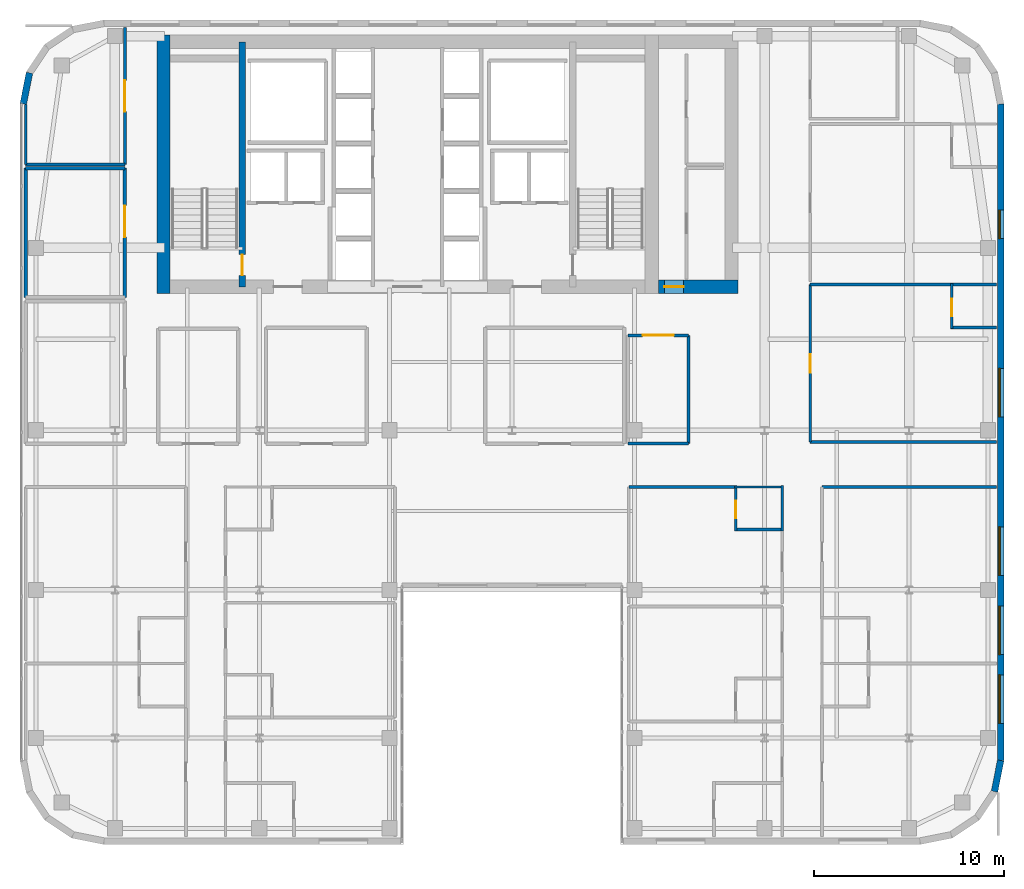
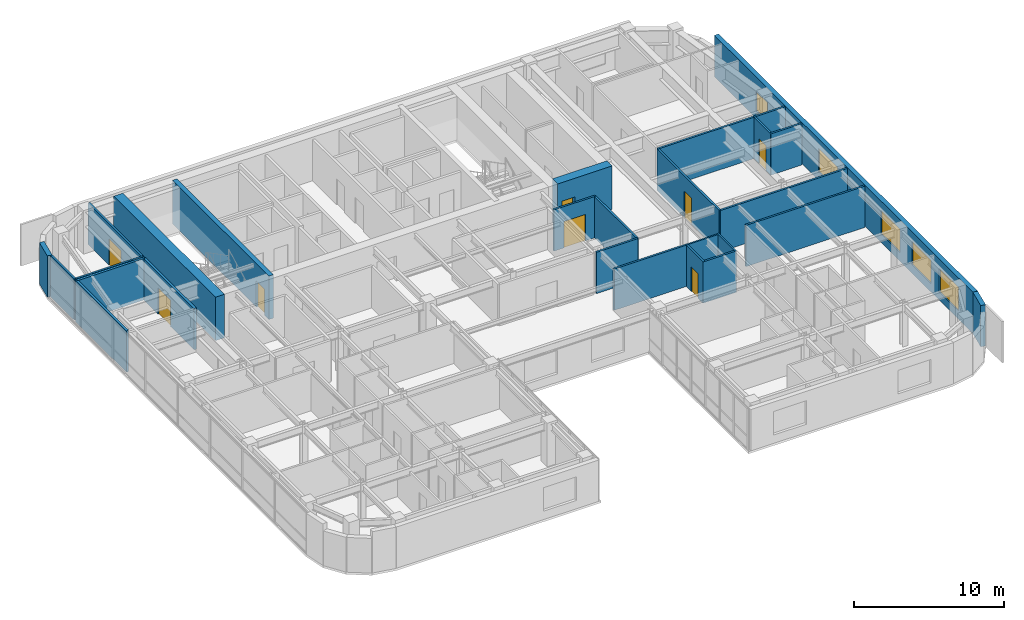
# One storey, part 20 of 24: 27 walls, 8 doors, 5 windows, 13 openings.
"""IFC4 building model written with IfcOpenShell, lengths in metres."""

from ifc_helpers import new_model, si_unit, direction, frame, frame_2d, origin, place, context, subcontext, project, spatial, rectangle, extrude, source, transform, mapped, material, layer, layer_set, type_object, type_shapes, element, fill, save


model = new_model("IFC4")

# Units and contexts
model_context = context("Model", 3, precision=1e-05, world=origin(), true_north=direction((0.0, 1.0)))
body_context = subcontext(model_context, "Body", "Model", "MODEL_VIEW")
ifc_project = project(units=[si_unit("LENGTHUNIT", "METRE"), si_unit("AREAUNIT", "SQUARE_METRE"), si_unit("VOLUMEUNIT", "CUBIC_METRE"), si_unit("PLANEANGLEUNIT", "RADIAN"), si_unit("MASSUNIT", "GRAM", prefix="KILO")], contexts=[model_context])

# Site, building, storey
site_placement = place(None, origin())
site = spatial("IfcSite", under=ifc_project, at=site_placement, CompositionType="ELEMENT")
building_placement = place(site_placement, origin())
building = spatial("IfcBuilding", under=site, at=building_placement, Name="Tolvann Quenvar Hotel", CompositionType="ELEMENT")
storey_placement = place(building_placement, frame((0.0, 0.0, 194.64990234375)))
storey = spatial("IfcBuildingStorey", under=building, at=storey_placement, Name="L51", CompositionType="ELEMENT", Elevation=194.64990234375)

# Wall
ifc_material_1 = material(Name="Concrete S65 (65 MPa)", Category="concrete")
ifc_layer_1 = layer(ifc_material_1, 0.699951171875)
ifc_layer_set_1 = layer_set([ifc_layer_1], Name="Concrete S65 (65 MPa)")
wall_type_1 = type_object("IfcWallType", Name="WALL_CORE_700", PredefinedType="SHEAR", material=ifc_layer_set_1)
wall_1_placement = place(storey_placement, frame((10.14990234375, 31.60009765625, 0.0), z_axis=(0.0, 0.0, 1.0), x_axis=(0.0, 1.0, 0.0)))
element("IfcWall", 1, at=wall_1_placement, inside=storey, type_object=wall_type_1, Name="Rear Core W Shear Wall (L51)", PredefinedType="SHEAR", context=body_context, shape_type="SweptSolid", body=[
    extrude(rectangle(XDim=13.599853515625, YDim=0.699951171875, at=frame_2d((6.7998046875, 0.0))), origin(), (0.0, 0.0, 1.0), 3.550048828125),
])

# Wall, opening, door
wall_2_placement = place(storey_placement, frame((36.199951171875, 31.949951171875, 0.0), z_axis=(0.0, 0.0, 1.0), x_axis=(1.0, 0.0, 0.0)))
wall_2 = element("IfcWall", 2, at=wall_2_placement, inside=storey, type_object=wall_type_1, Name="Core East Annex Shear Wall ANN-S (L51)", PredefinedType="SHEAR", context=body_context, shape_type="SweptSolid", body=[
    extrude(rectangle(XDim=4.199951171875, YDim=0.699951171875, at=frame_2d((2.10009765625, 0.0))), origin(), (0.0, 0.0, 1.0), 3.550048828125),
])
opening_1_placement = place(wall_2_placement, frame((1.340087890625, 0.0, 0.0), z_axis=(0.0, 0.0, 1.0), x_axis=(-1.0, 0.0, 0.0)))
opening_1 = element("IfcOpeningElement", 3, at=opening_1_placement, cuts=wall_2, Name="Opening HD-01", PredefinedType="OPENING", context=body_context, shape_type="SweptSolid", body=[
    extrude(rectangle(XDim=1.02001953125, YDim=2.030029296875, at=frame_2d((0.510009765625, 1.01513671875))), frame((0.0, 0.35986328125, 0.0), z_axis=(0.0, -1.0, 0.0), x_axis=(1.0, 0.0, 0.0)), (0.0, 0.0, 1.0), 0.719970703125),
])
ifc_material_2 = material(Name="Pressed galvanised steel fire-rated door set", Category="steel")
door_type_1 = type_object("IfcDoorType", Name="DOOR_BOH_1020", OperationType="NOTDEFINED", PredefinedType="DOOR", material=ifc_material_2)
shared_shape_1 = source(origin(), body_context, "Body", "SweptSolid", [
    extrude(rectangle(XDim=1.02001953125, YDim=2.030029296875, at=frame_2d((0.510009765625, 1.01513671875))), frame((0.0, 0.02490234375, 0.0), z_axis=(0.0, -1.0, 0.0), x_axis=(1.0, 0.0, 0.0)), (0.0, 0.0, 1.0), 0.050048828125),
])
type_shapes(door_type_1, [shared_shape_1])
door_1_placement = place(opening_1_placement, origin())
door_1 = element("IfcDoor", 4, at=door_1_placement, inside=storey, type_object=door_type_1, Name="Housekeeping Annex Fire Door (L51)", OperationType="SINGLE_SWING_LEFT", OverallHeight=2.030029296875, OverallWidth=1.02001953125, PredefinedType="DOOR", context=body_context, shape_type="MappedRepresentation", body=[
    mapped(shared_shape_1, transform((0.0, 0.0, 0.0), x_axis=(1.0, 0.0, 0.0), y_axis=(0.0, 1.0, 0.0), z_axis=(0.0, 0.0, 1.0), scale=1.0)),
])
fill(opening_1, door_1)

ifc_layer_2 = layer(ifc_material_1, 0.35009765625)
ifc_layer_set_2 = layer_set([ifc_layer_2], Name="Concrete S65 (65 MPa)")
wall_type_2 = type_object("IfcWallType", Name="WALL_CORE_INT_350", PredefinedType="SHEAR", material=ifc_layer_set_2)
wall_3_placement = place(storey_placement, frame((14.300048828125, 31.949951171875, 0.0), z_axis=(0.0, 0.0, 1.0), x_axis=(0.0, 1.0, 0.0)))
wall_3 = element("IfcWall", 5, at=wall_3_placement, inside=storey, type_object=wall_type_2, Name="Core Internal Web Shear Wall WEB-W (L51)", PredefinedType="SHEAR", context=body_context, shape_type="SweptSolid", body=[
    extrude(rectangle(XDim=12.900146484375, YDim=0.35009765625, at=frame_2d((6.4501953125, 0.0))), origin(), (0.0, 0.0, 1.0), 3.550048828125),
])
opening_2_placement = place(wall_3_placement, frame((0.60009765625, 0.0, 0.0)))
opening_2 = element("IfcOpeningElement", 6, at=opening_2_placement, cuts=wall_3, Name="Opening FD-120", PredefinedType="OPENING", context=body_context, shape_type="SweptSolid", body=[
    extrude(rectangle(XDim=1.10009765625, YDim=2.1201171875, at=frame_2d((0.550048828125, 1.06005859375))), frame((0.0, 0.18505859375, 0.0), z_axis=(0.0, -1.0, 0.0), x_axis=(1.0, 0.0, 0.0)), (0.0, 0.0, 1.0), 0.3701171875),
])
door_type_2 = type_object("IfcDoorType", Name="DOOR_FIRE_STAIR_1100", OperationType="NOTDEFINED", PredefinedType="DOOR", material=ifc_material_2)
shared_shape_2 = source(origin(), body_context, "Body", "SweptSolid", [
    extrude(rectangle(XDim=1.10009765625, YDim=2.1201171875, at=frame_2d((0.550048828125, 1.06005859375))), frame((0.0, 0.02490234375, 0.0), z_axis=(0.0, -1.0, 0.0), x_axis=(1.0, 0.0, 0.0)), (0.0, 0.0, 1.0), 0.050048828125),
])
type_shapes(door_type_2, [shared_shape_2])
door_2_placement = place(opening_2_placement, origin())
door_2 = element("IfcDoor", 7, at=door_2_placement, inside=storey, type_object=door_type_2, Name="Exit Stair ST-C1 Fire Door (L51)", OperationType="SINGLE_SWING_LEFT", OverallHeight=2.1201171875, OverallWidth=1.10009765625, PredefinedType="DOOR", context=body_context, shape_type="MappedRepresentation", body=[
    mapped(shared_shape_2, transform((0.0, 0.0, 0.0), x_axis=(1.0, 0.0, 0.0), y_axis=(0.0, 1.0, 0.0), z_axis=(0.0, 0.0, 1.0), scale=1.0)),
])
fill(opening_2, door_2)

# Wall
ifc_material_3 = material(Name="Kiln-fired red and buff architectural clay brickwork and terracotta masonry", Category="masonry")
ifc_layer_3 = layer(ifc_material_3, 0.35009765625)
ifc_layer_set_3 = layer_set([ifc_layer_3], Name="Kiln-fired red and buff architectural clay brickwork and terracotta masonry")
wall_type_3 = type_object("IfcWallType", Name="WALL_EXT_BRICK_350", PredefinedType="SOLIDWALL", material=ifc_layer_set_3)
wall_4_placement = place(storey_placement, frame((53.900390625, 5.384521484375, 0.0), z_axis=(0.0, 0.0, 1.0), x_axis=(0.195072403631, 0.980788844421, 0.0)))
element("IfcWall", 8, at=wall_4_placement, inside=storey, type_object=wall_type_3, Name="Exterior Chicago Brick Wall L51-E12", PredefinedType="SOLIDWALL", context=body_context, shape_type="SweptSolid", body=[
    extrude(rectangle(XDim=1.66455078125, YDim=0.35009765625, at=frame_2d((0.832275390625, 0.0))), origin(), (0.0, 0.0, 1.0), 3.3701171875),
])

# Wall, openings, windows
wall_5_placement = place(storey_placement, frame((54.22509765625, 7.01708984375, 0.0), z_axis=(0.0, 0.0, 1.0), x_axis=(0.0, 1.0, 0.0)))
wall_5 = element("IfcWall", 9, at=wall_5_placement, inside=storey, type_object=wall_type_3, Name="Exterior Chicago Brick Wall L51-E13", PredefinedType="SOLIDWALL", context=body_context, shape_type="SweptSolid", body=[
    extrude(rectangle(XDim=34.565673828125, YDim=0.35009765625, at=frame_2d((17.28271484375, 0.0))), origin(), (0.0, 0.0, 1.0), 3.3701171875),
])
opening_3_placement = place(wall_5_placement, frame((1.9599609375, 0.0, 0.679931640625)))
opening_3 = element("IfcOpeningElement", 10, at=opening_3_placement, cuts=wall_5, Name="Opening W-09", PredefinedType="OPENING", context=body_context, shape_type="SweptSolid", body=[
    extrude(rectangle(XDim=2.550048828125, YDim=1.919921875, at=frame_2d((1.27490234375, 0.9599609375))), frame((0.0, 0.18505859375, 0.0), z_axis=(0.0, -1.0, 0.0), x_axis=(1.0, 0.0, 0.0)), (0.0, 0.0, 1.0), 0.3701171875),
])
opening_4_placement = place(wall_5_placement, frame((5.5810546875, 0.0, 0.679931640625)))
opening_4 = element("IfcOpeningElement", 11, at=opening_4_placement, cuts=wall_5, Name="Opening W-09", PredefinedType="OPENING", context=body_context, shape_type="SweptSolid", body=[
    extrude(rectangle(XDim=2.550048828125, YDim=1.919921875, at=frame_2d((1.27490234375, 0.9599609375))), frame((0.0, 0.18505859375, 0.0), z_axis=(0.0, -1.0, 0.0), x_axis=(1.0, 0.0, 0.0)), (0.0, 0.0, 1.0), 0.3701171875),
])
opening_5_placement = place(wall_5_placement, frame((9.751953125, 0.0, 0.679931640625)))
opening_5 = element("IfcOpeningElement", 12, at=opening_5_placement, cuts=wall_5, Name="Opening W-09", PredefinedType="OPENING", context=body_context, shape_type="SweptSolid", body=[
    extrude(rectangle(XDim=2.550048828125, YDim=1.919921875, at=frame_2d((1.27490234375, 0.9599609375))), frame((0.0, 0.18505859375, 0.0), z_axis=(0.0, -1.0, 0.0), x_axis=(1.0, 0.0, 0.0)), (0.0, 0.0, 1.0), 0.3701171875),
])
opening_6_placement = place(wall_5_placement, frame((18.093017578125, 0.0, 0.679931640625)))
opening_6 = element("IfcOpeningElement", 13, at=opening_6_placement, cuts=wall_5, Name="Opening W-09", PredefinedType="OPENING", context=body_context, shape_type="SweptSolid", body=[
    extrude(rectangle(XDim=2.550048828125, YDim=1.919921875, at=frame_2d((1.27490234375, 0.9599609375))), frame((0.0, 0.18505859375, 0.0), z_axis=(0.0, -1.0, 0.0), x_axis=(1.0, 0.0, 0.0)), (0.0, 0.0, 1.0), 0.3701171875),
])
opening_7_placement = place(wall_5_placement, frame((27.472900390625, 0.0, 0.6201171875)))
opening_7 = element("IfcOpeningElement", 14, at=opening_7_placement, cuts=wall_5, Name="Opening W-08", PredefinedType="OPENING", context=body_context, shape_type="SweptSolid", body=[
    extrude(rectangle(XDim=1.5, YDim=1.550048828125, at=frame_2d((0.75, 0.77490234375))), frame((0.0, 0.18505859375, 0.0), z_axis=(0.0, -1.0, 0.0), x_axis=(1.0, 0.0, 0.0)), (0.0, 0.0, 1.0), 0.3701171875),
])
ifc_material_4 = material(Name="Thermally broken bronze-anodised aluminium frame with double low-E glazing", Category="aluminium")
window_type_1 = type_object("IfcWindowType", Name="WIN_COR_1500x2050", PartitioningType="SINGLE_PANEL", PredefinedType="WINDOW", material=ifc_material_4)
shared_shape_3 = source(origin(), body_context, "Body", "SweptSolid", [
    extrude(rectangle(XDim=1.5, YDim=1.550048828125, at=frame_2d((0.75, 0.77490234375))), frame((0.0, 0.090087890625, 0.0), z_axis=(0.0, -1.0, 0.0), x_axis=(1.0, 0.0, 0.0)), (0.0, 0.0, 1.0), 0.06005859375),
])
type_shapes(window_type_1, [shared_shape_3])
window_1_placement = place(opening_7_placement, origin())
window_1 = element("IfcWindow", 15, at=window_1_placement, inside=storey, type_object=window_type_1, Name="Chicago Window W-08 (EW-L51-E13-WD05)", OverallHeight=1.550048828125, OverallWidth=1.5, PartitioningType="SINGLE_PANEL", PredefinedType="WINDOW", context=body_context, shape_type="MappedRepresentation", body=[
    mapped(shared_shape_3, transform((0.0, 0.0, 0.0), x_axis=(1.0, 0.0, 0.0), y_axis=(0.0, 1.0, 0.0), z_axis=(0.0, 0.0, 1.0), scale=1.0)),
])
fill(opening_7, window_1)
window_type_2 = type_object("IfcWindowType", Name="WIN_LNG_2550x1950", PartitioningType="TRIPLE_PANEL_HORIZONTAL", PredefinedType="WINDOW", material=ifc_material_4)
shared_shape_4 = source(origin(), body_context, "Body", "SweptSolid", [
    extrude(rectangle(XDim=2.550048828125, YDim=1.919921875, at=frame_2d((1.27490234375, 0.9599609375))), frame((0.0, 0.090087890625, 0.0), z_axis=(0.0, -1.0, 0.0), x_axis=(1.0, 0.0, 0.0)), (0.0, 0.0, 1.0), 0.06005859375),
])
type_shapes(window_type_2, [shared_shape_4])
window_2_placement = place(opening_3_placement, origin())
window_2 = element("IfcWindow", 16, at=window_2_placement, inside=storey, type_object=window_type_2, Name="Chicago Window W-09 (EW-L51-E13-W01)", OverallHeight=1.919921875, OverallWidth=2.550048828125, PartitioningType="TRIPLE_PANEL_HORIZONTAL", PredefinedType="WINDOW", context=body_context, shape_type="MappedRepresentation", body=[
    mapped(shared_shape_4, transform((0.0, 0.0, 0.0), x_axis=(1.0, 0.0, 0.0), y_axis=(0.0, 1.0, 0.0), z_axis=(0.0, 0.0, 1.0), scale=1.0)),
])
fill(opening_3, window_2)
window_3_placement = place(opening_4_placement, origin())
window_3 = element("IfcWindow", 17, at=window_3_placement, inside=storey, type_object=window_type_2, Name="Chicago Window W-09 (EW-L51-E13-W02)", OverallHeight=1.919921875, OverallWidth=2.550048828125, PartitioningType="TRIPLE_PANEL_HORIZONTAL", PredefinedType="WINDOW", context=body_context, shape_type="MappedRepresentation", body=[
    mapped(shared_shape_4, transform((0.0, 0.0, 0.0), x_axis=(1.0, 0.0, 0.0), y_axis=(0.0, 1.0, 0.0), z_axis=(0.0, 0.0, 1.0), scale=1.0)),
])
fill(opening_4, window_3)
window_4_placement = place(opening_5_placement, origin())
window_4 = element("IfcWindow", 18, at=window_4_placement, inside=storey, type_object=window_type_2, Name="Chicago Window W-09 (EW-L51-E13-W03)", OverallHeight=1.919921875, OverallWidth=2.550048828125, PartitioningType="TRIPLE_PANEL_HORIZONTAL", PredefinedType="WINDOW", context=body_context, shape_type="MappedRepresentation", body=[
    mapped(shared_shape_4, transform((0.0, 0.0, 0.0), x_axis=(1.0, 0.0, 0.0), y_axis=(0.0, 1.0, 0.0), z_axis=(0.0, 0.0, 1.0), scale=1.0)),
])
fill(opening_5, window_4)
window_5_placement = place(opening_6_placement, origin())
window_5 = element("IfcWindow", 19, at=window_5_placement, inside=storey, type_object=window_type_2, Name="Chicago Window W-09 (EW-L51-E13-W04)", OverallHeight=1.919921875, OverallWidth=2.550048828125, PartitioningType="TRIPLE_PANEL_HORIZONTAL", PredefinedType="WINDOW", context=body_context, shape_type="MappedRepresentation", body=[
    mapped(shared_shape_4, transform((0.0, 0.0, 0.0), x_axis=(1.0, 0.0, 0.0), y_axis=(0.0, 1.0, 0.0), z_axis=(0.0, 0.0, 1.0), scale=1.0)),
])
fill(opening_6, window_5)

# Walls
wall_6_placement = place(storey_placement, frame((3.099609375, 43.215576171875, 0.0), z_axis=(0.0, 0.0, 1.0), x_axis=(-0.195044345786, -0.980794424524, 0.0)))
element("IfcWall", 20, at=wall_6_placement, inside=storey, type_object=wall_type_3, Name="Exterior Chicago Brick Wall L51-E22", PredefinedType="SOLIDWALL", context=body_context, shape_type="SweptSolid", body=[
    extrude(rectangle(XDim=1.664794921875, YDim=0.35009765625, at=frame_2d((0.83251953125, 0.0))), origin(), (0.0, 0.0, 1.0), 3.3701171875),
])
ifc_material_5 = material(Name="Acoustic twin-stud fire-rated gypsum plasterboard partition")
ifc_layer_4 = layer(ifc_material_5, 0.179931640625)
ifc_layer_set_4 = layer_set([ifc_layer_4], Name="Acoustic twin-stud fire-rated gypsum plasterboard partition")
wall_type_4 = type_object("IfcWallType", Name="WALL_PART_ACOUSTIC_180", PredefinedType="PARTITIONING", material=ifc_layer_set_4)
wall_7_placement = place(storey_placement, frame((2.89990234375, 38.199951171875, 0.0), z_axis=(0.0, 0.0, 1.0), x_axis=(1.0, 0.0, 0.0)))
element("IfcWall", 21, at=wall_7_placement, inside=storey, type_object=wall_type_4, Name="Interior Partition PT-SPC-L51-MTG-N", PredefinedType="PARTITIONING", context=body_context, shape_type="SweptSolid", body=[
    extrude(rectangle(XDim=5.22021484375, YDim=0.179931640625, at=frame_2d((2.610107421875, 0.0))), origin(), (0.0, 0.0, 1.0), 3.3701171875),
])
wall_8_placement = place(storey_placement, frame((2.89990234375, 31.39990234375, 0.0), z_axis=(0.0, 0.0, 1.0), x_axis=(0.0, 1.0, 0.0)))
element("IfcWall", 22, at=wall_8_placement, inside=storey, type_object=wall_type_4, Name="Interior Partition PT-SPC-L51-MTG-W", PredefinedType="PARTITIONING", context=body_context, shape_type="SweptSolid", body=[
    extrude(rectangle(XDim=6.800048828125, YDim=0.179931640625, at=frame_2d((3.39990234375, 0.0))), origin(), (0.0, 0.0, 1.0), 3.3701171875),
])

# Wall, opening, door
wall_9_placement = place(storey_placement, frame((8.1201171875, 31.39990234375, 0.0), z_axis=(0.0, 0.0, 1.0), x_axis=(0.0, 1.0, 0.0)))
wall_9 = element("IfcWall", 23, at=wall_9_placement, inside=storey, type_object=wall_type_4, Name="Interior Partition PT-SPC-L51-MTG-E", PredefinedType="PARTITIONING", context=body_context, shape_type="SweptSolid", body=[
    extrude(rectangle(XDim=6.800048828125, YDim=0.179931640625, at=frame_2d((3.39990234375, 0.0))), origin(), (0.0, 0.0, 1.0), 3.3701171875),
])
opening_8_placement = place(wall_9_placement, frame((3.175048828125, 0.0, 0.0)))
opening_8 = element("IfcOpeningElement", 24, at=opening_8_placement, cuts=wall_9, Name="Opening AD-01", PredefinedType="OPENING", context=body_context, shape_type="SweptSolid", body=[
    extrude(rectangle(XDim=1.64990234375, YDim=2.14990234375, at=frame_2d((0.824951171875, 1.074951171875))), frame((0.0, 0.10009765625, 0.0), z_axis=(0.0, -1.0, 0.0), x_axis=(1.0, 0.0, 0.0)), (0.0, 0.0, 1.0), 0.199951171875),
])
ifc_material_6 = material(Name="Solid-core American oak acoustic fire door leaf in steel frame", Category="steel")
door_type_3 = type_object("IfcDoorType", Name="DOOR_SALON_1650", OperationType="NOTDEFINED", PredefinedType="DOOR", material=ifc_material_6)
shared_shape_5 = source(origin(), body_context, "Body", "SweptSolid", [
    extrude(rectangle(XDim=1.64990234375, YDim=2.14990234375, at=frame_2d((0.824951171875, 1.074951171875))), frame((0.0, 0.02490234375, 0.0), z_axis=(0.0, -1.0, 0.0), x_axis=(1.0, 0.0, 0.0)), (0.0, 0.0, 1.0), 0.050048828125),
])
type_shapes(door_type_3, [shared_shape_5])
door_3_placement = place(opening_8_placement, origin())
door_3 = element("IfcDoor", 25, at=door_3_placement, inside=storey, type_object=door_type_3, Name="Interior Door DOOR-SPC-L51-MTG", OperationType="DOUBLE_DOOR_SINGLE_SWING", OverallHeight=2.14990234375, OverallWidth=1.64990234375, PredefinedType="DOOR", context=body_context, shape_type="MappedRepresentation", body=[
    mapped(shared_shape_5, transform((0.0, 0.0, 0.0), x_axis=(1.0, 0.0, 0.0), y_axis=(0.0, 1.0, 0.0), z_axis=(0.0, 0.0, 1.0), scale=1.0)),
])
fill(opening_8, door_3)

# Walls
ifc_material_7 = material(Name="Moisture-resistant acoustic plumbing wall assembly")
ifc_layer_5 = layer(ifc_material_7, 0.1201171875)
ifc_layer_set_5 = layer_set([ifc_layer_5], Name="Moisture-resistant acoustic plumbing wall assembly")
wall_type_5 = type_object("IfcWallType", Name="WALL_PART_BATH_120", PredefinedType="PLUMBINGWALL", material=ifc_layer_set_5)
wall_10_placement = place(storey_placement, frame((40.2099609375, 21.419921875, 0.0), z_axis=(0.0, 0.0, 1.0), x_axis=(1.0, 0.0, 0.0)))
element("IfcWall", 26, at=wall_10_placement, inside=storey, type_object=wall_type_5, Name="Non-Rated Plumbing Partition PT-SPC-L51-ENS-EI03-N", PredefinedType="PLUMBINGWALL", context=body_context, shape_type="SweptSolid", body=[
    extrude(rectangle(XDim=2.590087890625, YDim=0.1201171875, at=frame_2d((1.294921875, 0.0))), origin(), (0.0, 0.0, 1.0), 3.3701171875),
])
wall_11_placement = place(storey_placement, frame((42.72998046875, 19.10009765625, 0.0), z_axis=(0.0, 0.0, 1.0), x_axis=(0.0, 1.0, 0.0)))
element("IfcWall", 27, at=wall_11_placement, inside=storey, type_object=wall_type_5, Name="Non-Rated Plumbing Partition PT-SPC-L51-ENS-EI03-E", PredefinedType="PLUMBINGWALL", context=body_context, shape_type="SweptSolid", body=[
    extrude(rectangle(XDim=2.389892578125, YDim=0.1201171875, at=frame_2d((1.19482421875, 0.0))), origin(), (0.0, 0.0, 1.0), 3.3701171875),
])

# Wall, opening, door
ifc_layer_6 = layer(ifc_material_5, 0.14990234375)
ifc_layer_set_6 = layer_set([ifc_layer_6], Name="Acoustic twin-stud fire-rated gypsum plasterboard partition")
wall_type_6 = type_object("IfcWallType", Name="WALL_PART_SUITE_150", PredefinedType="PARTITIONING", material=ifc_layer_set_6)
wall_12_placement = place(storey_placement, frame((40.280029296875, 19.10009765625, 0.0), z_axis=(0.0, 0.0, 1.0), x_axis=(0.0, 1.0, 0.0)))
wall_12 = element("IfcWall", 28, at=wall_12_placement, inside=storey, type_object=wall_type_6, Name="Interior Partition PT-SPC-L51-ENS-EI03-ENT", PredefinedType="PARTITIONING", context=body_context, shape_type="SweptSolid", body=[
    extrude(rectangle(XDim=2.389892578125, YDim=0.14990234375, at=frame_2d((1.19482421875, 0.0))), origin(), (0.0, 0.0, 1.0), 3.3701171875),
])
opening_9_placement = place(wall_12_placement, frame((0.6650390625, 0.0, 0.0)))
opening_9 = element("IfcOpeningElement", 29, at=opening_9_placement, cuts=wall_12, Name="Opening WD-01", PredefinedType="OPENING", context=body_context, shape_type="SweptSolid", body=[
    extrude(rectangle(XDim=0.919921875, YDim=2.010009765625, at=frame_2d((0.4599609375, 1.0048828125))), frame((0.0, 0.0849609375, 0.0), z_axis=(0.0, -1.0, 0.0), x_axis=(1.0, 0.0, 0.0)), (0.0, 0.0, 1.0), 0.169921875),
])
door_type_4 = type_object("IfcDoorType", Name="DOOR_WC_920", OperationType="NOTDEFINED", PredefinedType="DOOR", material=ifc_material_6)
shared_shape_6 = source(origin(), body_context, "Body", "SweptSolid", [
    extrude(rectangle(XDim=0.919921875, YDim=2.010009765625, at=frame_2d((0.4599609375, 1.0048828125))), frame((0.0, 0.02490234375, 0.0), z_axis=(0.0, -1.0, 0.0), x_axis=(1.0, 0.0, 0.0)), (0.0, 0.0, 1.0), 0.050048828125),
])
type_shapes(door_type_4, [shared_shape_6])
door_4_placement = place(opening_9_placement, origin())
door_4 = element("IfcDoor", 30, at=door_4_placement, inside=storey, type_object=door_type_4, Name="Interior Door DOOR-SPC-L51-ENS-EI03", OperationType="SINGLE_SWING_LEFT", OverallHeight=2.010009765625, OverallWidth=0.919921875, PredefinedType="DOOR", context=body_context, shape_type="MappedRepresentation", body=[
    mapped(shared_shape_6, transform((0.0, 0.0, 0.0), x_axis=(1.0, 0.0, 0.0), y_axis=(0.0, 1.0, 0.0), z_axis=(0.0, 0.0, 1.0), scale=1.0)),
])
fill(opening_9, door_4)

# Wall
wall_13_placement = place(storey_placement, frame((40.2099609375, 19.169921875, 0.0), z_axis=(0.0, 0.0, 1.0), x_axis=(1.0, 0.0, 0.0)))
element("IfcWall", 31, at=wall_13_placement, inside=storey, type_object=wall_type_6, Name="Interior Partition PT-SPC-L51-ENS-EI03-S", PredefinedType="PARTITIONING", context=body_context, shape_type="SweptSolid", body=[
    extrude(rectangle(XDim=2.590087890625, YDim=0.14990234375, at=frame_2d((1.294921875, 0.0))), origin(), (0.0, 0.0, 1.0), 3.3701171875),
])

# Wall, opening, door
wall_14_placement = place(storey_placement, frame((51.64990234375, 29.75, 0.0), z_axis=(0.0, 0.0, 1.0), x_axis=(0.0, 1.0, 0.0)))
wall_14 = element("IfcWall", 32, at=wall_14_placement, inside=storey, type_object=wall_type_6, Name="Interior Partition PT-SPC-L51-ENS-NE01-ENT", PredefinedType="PARTITIONING", context=body_context, shape_type="SweptSolid", body=[
    extrude(rectangle(XDim=2.389892578125, YDim=0.14990234375, at=frame_2d((1.19482421875, 0.0))), origin(), (0.0, 0.0, 1.0), 3.3701171875),
])
opening_10_placement = place(wall_14_placement, frame((0.6650390625, 0.0, 0.0)))
opening_10 = element("IfcOpeningElement", 33, at=opening_10_placement, cuts=wall_14, Name="Opening WD-01", PredefinedType="OPENING", context=body_context, shape_type="SweptSolid", body=[
    extrude(rectangle(XDim=0.919921875, YDim=2.010009765625, at=frame_2d((0.4599609375, 1.0048828125))), frame((0.0, 0.0849609375, 0.0), z_axis=(0.0, -1.0, 0.0), x_axis=(1.0, 0.0, 0.0)), (0.0, 0.0, 1.0), 0.169921875),
])
door_5_placement = place(opening_10_placement, origin())
door_5 = element("IfcDoor", 34, at=door_5_placement, inside=storey, type_object=door_type_4, Name="Interior Door DOOR-SPC-L51-ENS-NE01", OperationType="SINGLE_SWING_RIGHT", OverallHeight=2.010009765625, OverallWidth=0.919921875, PredefinedType="DOOR", context=body_context, shape_type="MappedRepresentation", body=[
    mapped(shared_shape_6, transform((0.0, 0.0, 0.0), x_axis=(1.0, 0.0, 0.0), y_axis=(0.0, 1.0, 0.0), z_axis=(0.0, 0.0, 1.0), scale=1.0)),
])
fill(opening_10, door_5)

# Walls
for number, where, z_axis, x_axis, name in (
    (35, (51.580078125, 29.820068359375, 0.0), (0.0, 0.0, 1.0), (1.0, 0.0, 0.0), "Interior Partition PT-SPC-L51-ENS-NE01-S"),
    (36, (51.580078125, 32.070068359375, 0.0), (0.0, 0.0, 1.0), (1.0, 0.0, 0.0), "Interior Partition PT-SPC-L51-ENS-NE01-N"),
):
    element("IfcWall", number, at=place(storey_placement, frame(where, z_axis=z_axis, x_axis=x_axis)), inside=storey, type_object=wall_type_6, Name=name, PredefinedType="PARTITIONING", context=body_context, shape_type="SweptSolid", body=[
        extrude(rectangle(XDim=2.4150390625, YDim=0.14990234375, at=frame_2d((1.20751953125, 0.0))), origin(), (0.0, 0.0, 1.0), 3.3701171875),
    ])
wall_15_placement = place(storey_placement, frame((34.64990234375, 21.419921875, 0.0), z_axis=(0.0, 0.0, 1.0), x_axis=(1.0, 0.0, 0.0)))
element("IfcWall", 37, at=wall_15_placement, inside=storey, type_object=wall_type_6, Name="Interior Partition PT-SPC-L51-RM-EI03-E5", PredefinedType="PARTITIONING", context=body_context, shape_type="SweptSolid", body=[
    extrude(rectangle(XDim=5.610107421875, YDim=0.14990234375, at=frame_2d((2.80517578125, 0.0))), origin(), (0.0, 0.0, 1.0), 3.3701171875),
])
wall_16_placement = place(storey_placement, frame((44.820068359375, 21.419921875, 0.0), z_axis=(0.0, 0.0, 1.0), x_axis=(1.0, 0.0, 0.0)))
element("IfcWall", 38, at=wall_16_placement, inside=storey, type_object=wall_type_6, Name="Interior Partition PT-SPC-L51-RM-EO02-E5", PredefinedType="PARTITIONING", context=body_context, shape_type="SweptSolid", body=[
    extrude(rectangle(XDim=9.175048828125, YDim=0.14990234375, at=frame_2d((4.58740234375, 0.0))), origin(), (0.0, 0.0, 1.0), 3.3701171875),
])
wall_17_placement = place(storey_placement, frame((2.89990234375, 38.39990234375, 0.0), z_axis=(0.0, 0.0, 1.0), x_axis=(1.0, 0.0, 0.0)))
element("IfcWall", 39, at=wall_17_placement, inside=storey, type_object=wall_type_6, Name="Interior Partition PT-SPC-L51-TEA-S", PredefinedType="PARTITIONING", context=body_context, shape_type="SweptSolid", body=[
    extrude(rectangle(XDim=5.22021484375, YDim=0.14990234375, at=frame_2d((2.610107421875, 0.0))), origin(), (0.0, 0.0, 1.0), 3.3701171875),
])
wall_18_placement = place(storey_placement, frame((2.89990234375, 38.39990234375, 0.0), z_axis=(0.0, 0.0, 1.0), x_axis=(0.0, 1.0, 0.0)))
element("IfcWall", 40, at=wall_18_placement, inside=storey, type_object=wall_type_6, Name="Interior Partition PT-SPC-L51-TEA-W", PredefinedType="PARTITIONING", context=body_context, shape_type="SweptSolid", body=[
    extrude(rectangle(XDim=3.158203125, YDim=0.14990234375, at=frame_2d((1.5791015625, 0.0))), origin(), (0.0, 0.0, 1.0), 3.3701171875),
])

# Wall, opening, door
wall_19_placement = place(storey_placement, frame((8.1201171875, 38.39990234375, 0.0), z_axis=(0.0, 0.0, 1.0), x_axis=(0.0, 1.0, 0.0)))
wall_19 = element("IfcWall", 41, at=wall_19_placement, inside=storey, type_object=wall_type_6, Name="Interior Partition PT-SPC-L51-TEA-E", PredefinedType="PARTITIONING", context=body_context, shape_type="SweptSolid", body=[
    extrude(rectangle(XDim=7.195068359375, YDim=0.14990234375, at=frame_2d((3.59765625, 0.0))), origin(), (0.0, 0.0, 1.0), 3.3701171875),
])
opening_11_placement = place(wall_19_placement, frame((2.7724609375, 0.0, 0.0)))
opening_11 = element("IfcOpeningElement", 42, at=opening_11_placement, cuts=wall_19, Name="Opening AD-01", PredefinedType="OPENING", context=body_context, shape_type="SweptSolid", body=[
    extrude(rectangle(XDim=1.64990234375, YDim=2.14990234375, at=frame_2d((0.824951171875, 1.074951171875))), frame((0.0, 0.0849609375, 0.0), z_axis=(0.0, -1.0, 0.0), x_axis=(1.0, 0.0, 0.0)), (0.0, 0.0, 1.0), 0.169921875),
])
door_6_placement = place(opening_11_placement, origin())
door_6 = element("IfcDoor", 43, at=door_6_placement, inside=storey, type_object=door_type_3, Name="Interior Door DOOR-SPC-L51-TEA", OperationType="DOUBLE_DOOR_SINGLE_SWING", OverallHeight=2.14990234375, OverallWidth=1.64990234375, PredefinedType="DOOR", context=body_context, shape_type="MappedRepresentation", body=[
    mapped(shared_shape_5, transform((0.0, 0.0, 0.0), x_axis=(1.0, 0.0, 0.0), y_axis=(0.0, 1.0, 0.0), z_axis=(0.0, 0.0, 1.0), scale=1.0)),
])
fill(opening_11, door_6)

wall_20_placement = place(storey_placement, frame((44.199951171875, 23.780029296875, 0.0), z_axis=(0.0, 0.0, 1.0), x_axis=(0.0, 1.0, 0.0)))
wall_20 = element("IfcWall", 44, at=wall_20_placement, inside=storey, type_object=wall_type_6, Name="Interior Partition PT-SPC-L51-RM-NE01-ENT", PredefinedType="PARTITIONING", context=body_context, shape_type="SweptSolid", body=[
    extrude(rectangle(XDim=8.2900390625, YDim=0.14990234375, at=frame_2d((4.14501953125, 0.0))), origin(), (0.0, 0.0, 1.0), 3.3701171875),
])
opening_12_placement = place(wall_20_placement, frame((3.655029296875, 0.0, 0.0)))
opening_12 = element("IfcOpeningElement", 45, at=opening_12_placement, cuts=wall_20, Name="Opening SD-01", PredefinedType="OPENING", context=body_context, shape_type="SweptSolid", body=[
    extrude(rectangle(XDim=0.97998046875, YDim=2.1201171875, at=frame_2d((0.489990234375, 1.06005859375))), frame((0.0, 0.0849609375, 0.0), z_axis=(0.0, -1.0, 0.0), x_axis=(1.0, 0.0, 0.0)), (0.0, 0.0, 1.0), 0.169921875),
])
door_type_5 = type_object("IfcDoorType", Name="DOOR_SUITE_980", OperationType="NOTDEFINED", PredefinedType="DOOR", material=ifc_material_6)
shared_shape_7 = source(origin(), body_context, "Body", "SweptSolid", [
    extrude(rectangle(XDim=0.97998046875, YDim=2.1201171875, at=frame_2d((0.489990234375, 1.06005859375))), frame((0.0, 0.02490234375, 0.0), z_axis=(0.0, -1.0, 0.0), x_axis=(1.0, 0.0, 0.0)), (0.0, 0.0, 1.0), 0.050048828125),
])
type_shapes(door_type_5, [shared_shape_7])
door_7_placement = place(opening_12_placement, origin())
door_7 = element("IfcDoor", 46, at=door_7_placement, inside=storey, type_object=door_type_5, Name="Interior Door DOOR-SPC-L51-RM-NE01", OperationType="SINGLE_SWING_RIGHT", OverallHeight=2.1201171875, OverallWidth=0.97998046875, PredefinedType="DOOR", context=body_context, shape_type="MappedRepresentation", body=[
    mapped(shared_shape_7, transform((0.0, 0.0, 0.0), x_axis=(1.0, 0.0, 0.0), y_axis=(0.0, 1.0, 0.0), z_axis=(0.0, 0.0, 1.0), scale=1.0)),
])
fill(opening_12, door_7)

# Walls
wall_21_placement = place(storey_placement, frame((44.199951171875, 23.780029296875, 0.0), z_axis=(0.0, 0.0, 1.0), x_axis=(1.0, 0.0, 0.0)))
element("IfcWall", 47, at=wall_21_placement, inside=storey, type_object=wall_type_6, Name="Interior Partition PT-SPC-L51-RM-NE01-E1", PredefinedType="PARTITIONING", context=body_context, shape_type="SweptSolid", body=[
    extrude(rectangle(XDim=9.795166015625, YDim=0.14990234375, at=frame_2d((4.8974609375, 0.0))), origin(), (0.0, 0.0, 1.0), 3.3701171875),
])
wall_22_placement = place(storey_placement, frame((44.199951171875, 32.070068359375, 0.0), z_axis=(0.0, 0.0, 1.0), x_axis=(1.0, 0.0, 0.0)))
element("IfcWall", 48, at=wall_22_placement, inside=storey, type_object=wall_type_6, Name="Interior Partition PT-SPC-L51-RM-NE01-E5", PredefinedType="PARTITIONING", context=body_context, shape_type="SweptSolid", body=[
    extrude(rectangle(XDim=7.429931640625, YDim=0.14990234375, at=frame_2d((3.71484375, 0.0))), origin(), (0.0, 0.0, 1.0), 3.3701171875),
])
wall_23_placement = place(storey_placement, frame((34.60009765625, 23.699951171875, 0.0), z_axis=(0.0, 0.0, 1.0), x_axis=(1.0, 0.0, 0.0)))
element("IfcWall", 49, at=wall_23_placement, inside=storey, type_object=wall_type_6, Name="Interior Partition PT-SPC-L51-MSP-E-S", PredefinedType="PARTITIONING", context=body_context, shape_type="SweptSolid", body=[
    extrude(rectangle(XDim=3.199951171875, YDim=0.14990234375, at=frame_2d((1.60009765625, 0.0))), origin(), (0.0, 0.0, 1.0), 3.3701171875),
])

# Wall, opening, door
wall_24_placement = place(storey_placement, frame((34.60009765625, 29.39990234375, 0.0), z_axis=(0.0, 0.0, 1.0), x_axis=(1.0, 0.0, 0.0)))
wall_24 = element("IfcWall", 50, at=wall_24_placement, inside=storey, type_object=wall_type_6, Name="Interior Partition PT-SPC-L51-MSP-E-N", PredefinedType="PARTITIONING", context=body_context, shape_type="SweptSolid", body=[
    extrude(rectangle(XDim=3.199951171875, YDim=0.14990234375, at=frame_2d((1.60009765625, 0.0))), origin(), (0.0, 0.0, 1.0), 3.3701171875),
])
opening_13_placement = place(wall_24_placement, frame((0.77490234375, 0.0, 0.0)))
opening_13 = element("IfcOpeningElement", 51, at=opening_13_placement, cuts=wall_24, Name="Opening AD-01", PredefinedType="OPENING", context=body_context, shape_type="SweptSolid", body=[
    extrude(rectangle(XDim=1.64990234375, YDim=2.14990234375, at=frame_2d((0.824951171875, 1.074951171875))), frame((0.0, 0.0849609375, 0.0), z_axis=(0.0, -1.0, 0.0), x_axis=(1.0, 0.0, 0.0)), (0.0, 0.0, 1.0), 0.169921875),
])
door_8_placement = place(opening_13_placement, origin())
door_8 = element("IfcDoor", 52, at=door_8_placement, inside=storey, type_object=door_type_3, Name="Interior Door DOOR-SPC-L51-MSP-E", OperationType="DOUBLE_DOOR_SINGLE_SWING", OverallHeight=2.14990234375, OverallWidth=1.64990234375, PredefinedType="DOOR", context=body_context, shape_type="MappedRepresentation", body=[
    mapped(shared_shape_5, transform((0.0, 0.0, 0.0), x_axis=(1.0, 0.0, 0.0), y_axis=(0.0, 1.0, 0.0), z_axis=(0.0, 0.0, 1.0), scale=1.0)),
])
fill(opening_13, door_8)

# Wall
wall_25_placement = place(storey_placement, frame((37.800048828125, 23.699951171875, 0.0), z_axis=(0.0, 0.0, 1.0), x_axis=(0.0, 1.0, 0.0)))
element("IfcWall", 53, at=wall_25_placement, inside=storey, type_object=wall_type_6, Name="Interior Partition PT-SPC-L51-MSP-E-E", PredefinedType="PARTITIONING", context=body_context, shape_type="SweptSolid", body=[
    extrude(rectangle(XDim=5.699951171875, YDim=0.14990234375, at=frame_2d((2.85009765625, 0.0))), origin(), (0.0, 0.0, 1.0), 3.3701171875),
])

save(model, "model.ifc")
